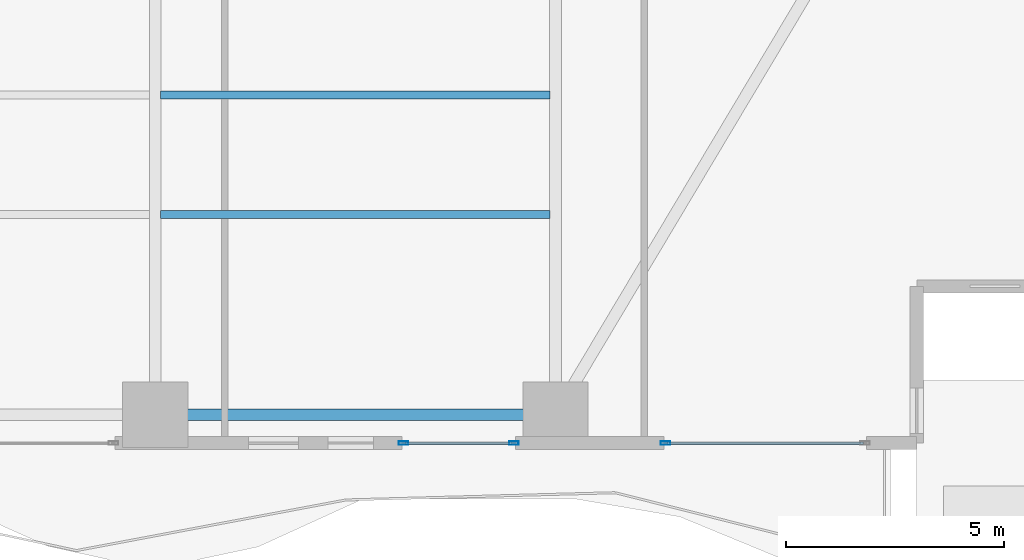
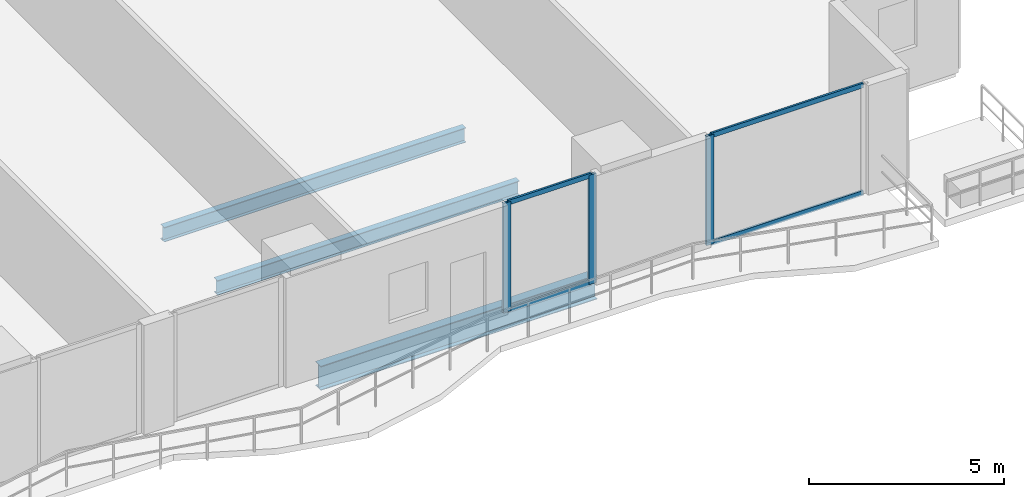
# One storey, part 8 of 30: 7 members, 3 beams, 2 elements without a shape of their own.
"""IFC4 building model written with IfcOpenShell, lengths in metres."""

from ifc_helpers import new_model, si_unit, direction, frame, origin, origin_2d, place, context, subcontext, project, spatial, hollow_rectangle, i_section, extrude, material, layer, layer_set, material_profile, profile_set, type_object, element, aggregate, save


model = new_model("IFC4")

# Units and contexts
model_context = context("Model", 3, precision=1e-05, world=origin(), true_north=direction((0.0, 1.0)))
body_context = subcontext(model_context, "Body", "Model", "MODEL_VIEW")
ifc_project = project(units=[si_unit("LENGTHUNIT", "METRE"), si_unit("AREAUNIT", "SQUARE_METRE"), si_unit("VOLUMEUNIT", "CUBIC_METRE"), si_unit("PLANEANGLEUNIT", "RADIAN"), si_unit("MASSUNIT", "GRAM", prefix="KILO")], contexts=[model_context])

# Site, building, storey
site_placement = place(None, origin())
site = spatial("IfcSite", under=ifc_project, at=site_placement, CompositionType="ELEMENT")
building_placement = place(site_placement, origin())
building = spatial("IfcBuilding", under=site, at=building_placement, Name="Zuhayl Quay Hotel", CompositionType="ELEMENT")
storey_placement = place(building_placement, frame((0.0, 0.0, 82.35009765625)))
storey = spatial("IfcBuildingStorey", under=building, at=storey_placement, Name="L20", CompositionType="ELEMENT", Elevation=82.35009765625)

# Beams
ifc_material_1 = material(Name="Steel ASTM A992 Grade 50", Category="steel")
ifc_material_profile_1 = material_profile(ifc_material_1, i_section(OverallWidth=0.26708984375, OverallDepth=0.761962890625, WebThickness=0.014404296875, FlangeThickness=0.021484375, at=origin_2d()), Name="W30X116")
ifc_profile_set_1 = profile_set([ifc_material_profile_1], Name="Steel ASTM A992 Grade 50")
beam_type_1 = type_object("IfcBeamType", Name="BM_B1_W30X116", PredefinedType="BEAM", material=ifc_profile_set_1)
beam_placement = place(storey_placement, frame((5.10009765625, -22.449951171875, -0.60107421875), z_axis=(1.0, 0.0, 0.0), x_axis=(0.0, 1.0, 0.0)))
element("IfcBeam", 1, at=beam_placement, inside=storey, type_object=beam_type_1, Name="L20 Floor Beam RG_L20_03", PredefinedType="BEAM", context=body_context, shape_type="SweptSolid", body=[
    extrude(i_section(OverallWidth=0.26708984375, OverallDepth=0.761962890625, WebThickness=0.014404296875, FlangeThickness=0.021484375, at=origin_2d()), origin(), (0.0, 0.0, 1.0), 8.199951171875),
])
ifc_material_profile_2 = material_profile(ifc_material_1, i_section(OverallWidth=0.18994140625, OverallDepth=0.45703125, WebThickness=0.009033203125, FlangeThickness=0.014404296875, at=origin_2d()), Name="W18X50")
ifc_profile_set_2 = profile_set([ifc_material_profile_2], Name="Steel ASTM A992 Grade 50")
beam_type_2 = type_object("IfcBeamType", Name="BM_J2_W18X50", PredefinedType="JOIST", material=ifc_profile_set_2)
for number, where, z_axis, x_axis, name in (
    (2, (4.7255859375, -17.85009765625, -0.448486328125), (1.0, 0.0, 0.0), (0.0, 1.0, 0.0), "L20 Floor Beam FJ_L20_3_3"),
    (3, (4.7255859375, -15.10009765625, -0.448486328125), (1.0, 0.0, 0.0), (0.0, 1.0, 0.0), "L20 Floor Beam FJ_L20_4_3"),
):
    element("IfcBeam", number, at=place(storey_placement, frame(where, z_axis=z_axis, x_axis=x_axis)), inside=storey, type_object=beam_type_2, Name=name, PredefinedType="JOIST", context=body_context, shape_type="SweptSolid", body=[
        extrude(i_section(OverallWidth=0.18994140625, OverallDepth=0.45703125, WebThickness=0.009033203125, FlangeThickness=0.014404296875, at=origin_2d()), origin(), (0.0, 0.0, 1.0), 8.948974609375),
    ])

# Curtain wall, member
ifc_material_2 = material(Name="Anodised Aluminium 6063-T6", Category="aluminium")
ifc_layer = layer(ifc_material_2, 0.18994140625, Name="Anodised Aluminium 6063-T6", Category="aluminium")
ifc_layer_set = layer_set([ifc_layer], Name="Anodised Aluminium 6063-T6")
curtain_wall_type = type_object("IfcCurtainWallType", Name="CW_SYS_Z1", PredefinedType="USERDEFINED", material=ifc_layer_set)
curtain_wall_1_placement = place(storey_placement, origin())
curtain_wall_1 = element("IfcCurtainWall", 4, at=curtain_wall_1_placement, inside=storey, type_object=curtain_wall_type, Name="L20 Curtain Wall ENV_L20_S_CW1", ObjectType="UNITISED CURTAIN WALL", PredefinedType="USERDEFINED")
ifc_material_3 = material(Name="Black-anodised aluminium 6063-T6", Category="aluminium")
ifc_material_profile_3 = material_profile(ifc_material_3, hollow_rectangle(XDim=0.074951171875, YDim=0.219970703125, WallThickness=0.00390625, at=origin_2d()), Name="ALU220X75")
ifc_profile_set_3 = profile_set([ifc_material_profile_3], Name="Black-anodised aluminium 6063-T6")
member_type_1 = type_object("IfcMemberType", Name="MB_CW_MUL_220", PredefinedType="MULLION", material=ifc_profile_set_3)
member_1_placement = place(storey_placement, frame((16.327392578125, -23.10009765625, 0.0), z_axis=(0.0, 0.0, 1.0), x_axis=(0.0, -1.0, 0.0)))
member_1 = element("IfcMember", 5, at=member_1_placement, type_object=member_type_1, Name="CW-Z1 mullion 2", PredefinedType="MULLION", context=body_context, shape_type="SweptSolid", body=[
    extrude(hollow_rectangle(XDim=0.074951171875, YDim=0.219970703125, WallThickness=0.00390625, at=origin_2d()), origin(), (0.0, 0.0, 1.0), 3.429931640625),
])

# Curtain wall, members
curtain_wall_2_placement = place(storey_placement, origin())
curtain_wall_2 = element("IfcCurtainWall", 6, at=curtain_wall_2_placement, inside=storey, type_object=curtain_wall_type, Name="L20 Curtain Wall ENV_L20_S_CW2", ObjectType="UNITISED CURTAIN WALL", PredefinedType="USERDEFINED")
member_2_placement = place(storey_placement, frame((12.842529296875, -23.10009765625, 0.0), z_axis=(0.0, 0.0, 1.0), x_axis=(0.0, -1.0, 0.0)))
member_2 = element("IfcMember", 7, at=member_2_placement, type_object=member_type_1, Name="CW-Z1 mullion 1", PredefinedType="MULLION", context=body_context, shape_type="SweptSolid", body=[
    extrude(hollow_rectangle(XDim=0.074951171875, YDim=0.219970703125, WallThickness=0.00390625, at=origin_2d()), origin(), (0.0, 0.0, 1.0), 3.429931640625),
])
member_3_placement = place(storey_placement, frame((10.304443359375, -23.10009765625, 0.0), z_axis=(0.0, 0.0, 1.0), x_axis=(0.0, -1.0, 0.0)))
member_3 = element("IfcMember", 8, at=member_3_placement, type_object=member_type_1, Name="CW-Z1 mullion 2", PredefinedType="MULLION", context=body_context, shape_type="SweptSolid", body=[
    extrude(hollow_rectangle(XDim=0.074951171875, YDim=0.219970703125, WallThickness=0.00390625, at=origin_2d()), origin(), (0.0, 0.0, 1.0), 3.429931640625),
])

# Member
ifc_material_profile_4 = material_profile(ifc_material_3, hollow_rectangle(XDim=0.06005859375, YDim=0.14990234375, WallThickness=0.00341796875, at=origin_2d()), Name="ALU150X60")
ifc_profile_set_4 = profile_set([ifc_material_profile_4], Name="Black-anodised aluminium 6063-T6")
member_type_2 = type_object("IfcMemberType", Name="MB_CW_TRN_150", PredefinedType="USERDEFINED", material=ifc_profile_set_4)
member_4_placement = place(storey_placement, frame((20.875, -23.10009765625, 0.02978515625), z_axis=(-1.0, 0.0, 0.0), x_axis=(0.0, -1.0, 0.0)))
member_4 = element("IfcMember", 9, at=member_4_placement, type_object=member_type_2, Name="CW-Z1 transom 1.1", ObjectType="TRANSOM", PredefinedType="USERDEFINED", context=body_context, shape_type="SweptSolid", body=[
    extrude(hollow_rectangle(XDim=0.06005859375, YDim=0.14990234375, WallThickness=0.00341796875, at=origin_2d()), origin(), (0.0, 0.0, 1.0), 4.510009765625),
])

member_5_placement = place(storey_placement, frame((20.875, -23.10009765625, 3.39990234375), z_axis=(-1.0, 0.0, 0.0), x_axis=(0.0, -1.0, 0.0)))
member_5 = element("IfcMember", 10, at=member_5_placement, type_object=member_type_2, Name="CW-Z1 transom 1.2", ObjectType="TRANSOM", PredefinedType="USERDEFINED", context=body_context, shape_type="SweptSolid", body=[
    extrude(hollow_rectangle(XDim=0.06005859375, YDim=0.14990234375, WallThickness=0.00341796875, at=origin_2d()), origin(), (0.0, 0.0, 1.0), 4.510009765625),
])

aggregate(curtain_wall_1, [member_1, member_4, member_5])

member_6_placement = place(storey_placement, frame((12.804931640625, -23.10009765625, 0.02978515625), z_axis=(-1.0, 0.0, 0.0), x_axis=(0.0, -1.0, 0.0)))
member_6 = element("IfcMember", 11, at=member_6_placement, type_object=member_type_2, Name="CW-Z1 transom 1.1", ObjectType="TRANSOM", PredefinedType="USERDEFINED", context=body_context, shape_type="SweptSolid", body=[
    extrude(hollow_rectangle(XDim=0.06005859375, YDim=0.14990234375, WallThickness=0.00341796875, at=origin_2d()), origin(), (0.0, 0.0, 1.0), 2.462890625),
])

member_7_placement = place(storey_placement, frame((12.804931640625, -23.10009765625, 3.39990234375), z_axis=(-1.0, 0.0, 0.0), x_axis=(0.0, -1.0, 0.0)))
member_7 = element("IfcMember", 12, at=member_7_placement, type_object=member_type_2, Name="CW-Z1 transom 1.2", ObjectType="TRANSOM", PredefinedType="USERDEFINED", context=body_context, shape_type="SweptSolid", body=[
    extrude(hollow_rectangle(XDim=0.06005859375, YDim=0.14990234375, WallThickness=0.00341796875, at=origin_2d()), origin(), (0.0, 0.0, 1.0), 2.462890625),
])

aggregate(curtain_wall_2, [member_2, member_3, member_6, member_7])

save(model, "model.ifc")
